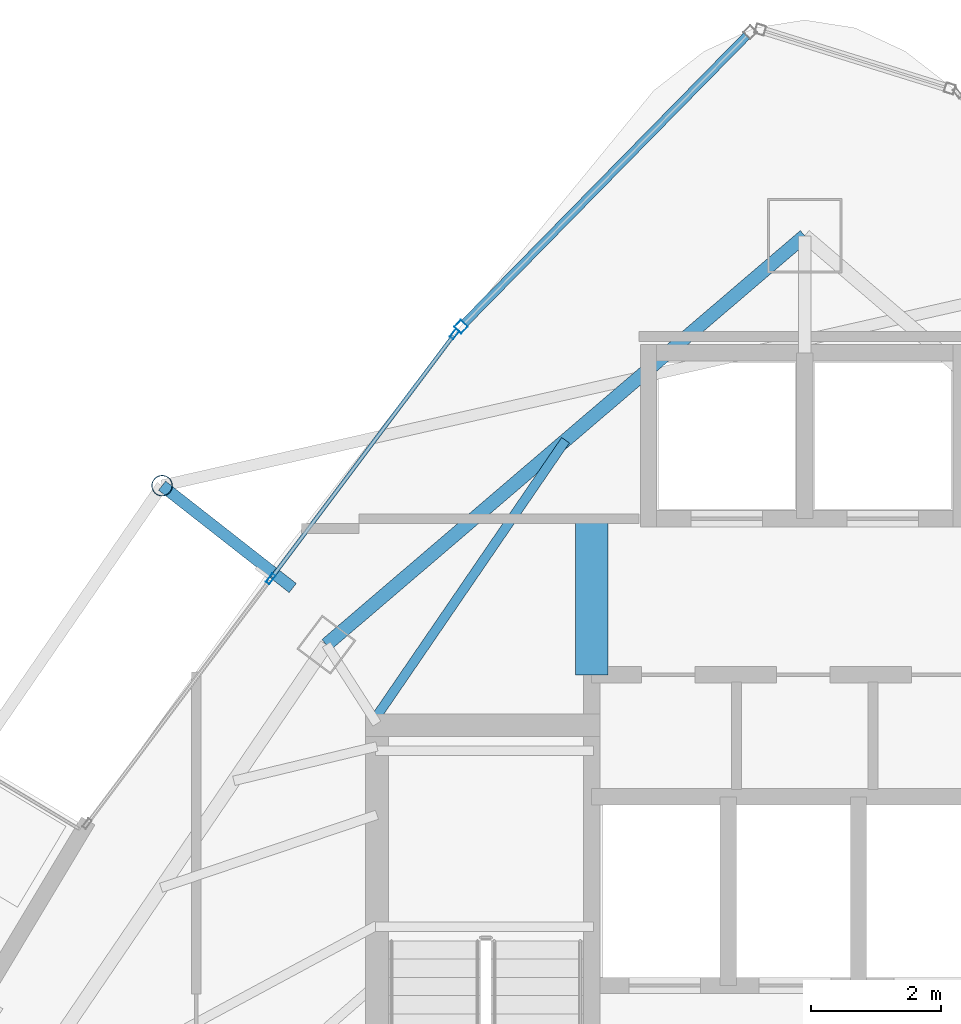
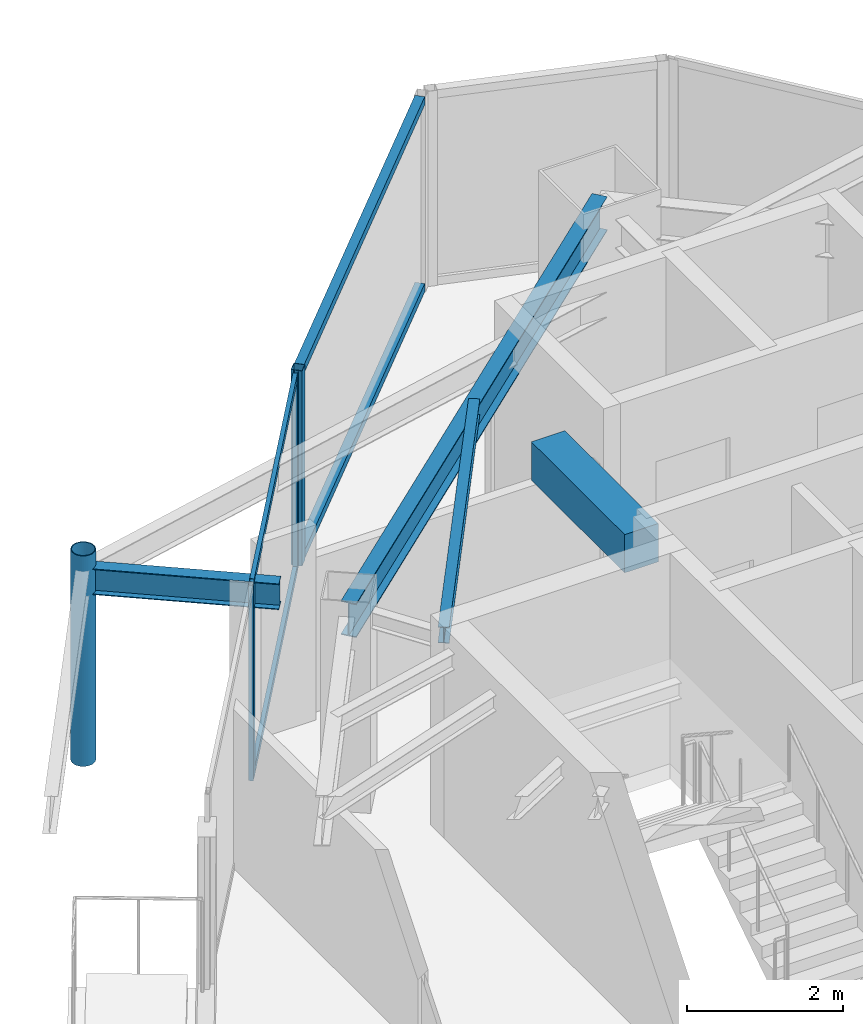
# One storey, part 20 of 28: 8 members, 4 beams, 2 elements without a shape of their own.
"""IFC4 building model written with IfcOpenShell, lengths in metres."""

from ifc_helpers import new_model, si_unit, direction, frame, origin, origin_2d, place, context, subcontext, project, spatial, rectangle, hollow_rectangle, hollow_circle, i_section, extrude, material, layer, layer_set, material_profile, profile_set, type_object, element, aggregate, save


model = new_model("IFC4")

# Units and contexts
model_context = context("Model", 3, precision=1e-05, world=origin(), true_north=direction((0.0, 1.0)))
body_context = subcontext(model_context, "Body", "Model", "MODEL_VIEW")
ifc_project = project(units=[si_unit("LENGTHUNIT", "METRE"), si_unit("AREAUNIT", "SQUARE_METRE"), si_unit("VOLUMEUNIT", "CUBIC_METRE"), si_unit("PLANEANGLEUNIT", "RADIAN"), si_unit("MASSUNIT", "GRAM", prefix="KILO")], contexts=[model_context])

# Site, building, storey
site_placement = place(None, origin())
site = spatial("IfcSite", under=ifc_project, at=site_placement, CompositionType="ELEMENT")
building_placement = place(site_placement, origin())
building = spatial("IfcBuilding", under=site, at=building_placement, Name="Orvanel Arch Residences", CompositionType="ELEMENT")
storey_placement = place(building_placement, frame((0.0, 0.0, 263.449951171875)))
storey = spatial("IfcBuildingStorey", under=building, at=storey_placement, Name="L75", CompositionType="ELEMENT", Elevation=263.449951171875)

# Beams
ifc_material_1 = material(Name="Structural steel AS/NZS 3679.1 Grade 300 (300 MPa)", Category="steel")
ifc_material_profile_1 = material_profile(ifc_material_1, i_section(OverallWidth=0.14599609375, OverallDepth=0.251953125, WebThickness=0.006103515625, FlangeThickness=0.008544921875, at=origin_2d()), Name="250UB31.4")
ifc_profile_set_1 = profile_set([ifc_material_profile_1], Name="Structural steel AS/NZS 3679.1 Grade 300 (300 MPa)")
beam_type_1 = type_object("IfcBeamType", Name="BJ-250UB", PredefinedType="JOIST", material=ifc_profile_set_1)
beam_1_placement = place(storey_placement, frame((26.425048828125, 34.02001953125, 2.93408203125), z_axis=(0.564868085352, 0.825181220188, 0.0), x_axis=(-0.825181220188, 0.564868085352, 0.0)))
element("IfcBeam", 1, at=beam_1_placement, inside=storey, type_object=beam_type_1, Name="L75 NNW2 Wing Floor Joist", PredefinedType="JOIST", context=body_context, shape_type="SweptSolid", body=[
    extrude(i_section(OverallWidth=0.14599609375, OverallDepth=0.251953125, WebThickness=0.006103515625, FlangeThickness=0.008544921875, at=origin_2d()), origin(), (0.0, 0.0, 1.0), 5.132080078125),
])
ifc_material_2 = material(Name="Concrete S65 (65 MPa)", Category="concrete")
ifc_material_profile_2 = material_profile(ifc_material_2, rectangle(XDim=0.5, YDim=0.60009765625, at=origin_2d()), Name="RC500x600")
ifc_profile_set_2 = profile_set([ifc_material_profile_2], Name="Concrete S65 (65 MPa)")
beam_type_2 = type_object("IfcBeamType", Name="CB-500x600", PredefinedType="LINTEL", material=ifc_profile_set_2)
beam_2_placement = place(storey_placement, frame((29.72509765625, 34.64990234375, 2.760009765625), z_axis=(0.0, 1.0, 0.0), x_axis=(-1.0, 0.0, 0.0)))
element("IfcBeam", 2, at=beam_2_placement, inside=storey, type_object=beam_type_2, Name="L75 West Core Lobby Coupling Lintel Beam", PredefinedType="LINTEL", context=body_context, shape_type="SweptSolid", body=[
    extrude(rectangle(XDim=0.5, YDim=0.60009765625, at=origin_2d()), origin(), (0.0, 0.0, 1.0), 2.400146484375),
])

# Curtain wall, member
ifc_material_3 = material(Name="Bronze-anodised aluminium AA6063-T6", Category="aluminium")
ifc_layer_1 = layer(ifc_material_3, 0.18994140625)
ifc_layer_set_1 = layer_set([ifc_layer_1], Name="Bronze-anodised aluminium AA6063-T6")
curtain_wall_type_1 = type_object("IfcCurtainWallType", Name="CW5-CRN-SYS", PredefinedType="NOTDEFINED", material=ifc_layer_set_1)
curtain_wall_1_placement = place(storey_placement, origin())
curtain_wall_1 = element("IfcCurtainWall", 3, at=curtain_wall_1_placement, inside=storey, type_object=curtain_wall_type_1, Name="L75 CW5-CRN-SYS Unitised Curtain Wall", PredefinedType="NOTDEFINED")
ifc_material_profile_3 = material_profile(ifc_material_3, hollow_rectangle(XDim=0.14990234375, YDim=0.14990234375, WallThickness=0.0048828125, at=origin_2d()), Name="ALU150x150x5")
ifc_profile_set_3 = profile_set([ifc_material_profile_3], Name="Bronze-anodised aluminium AA6063-T6")
member_type_1 = type_object("IfcMemberType", Name="MUL-150x150", PredefinedType="MULLION", material=ifc_profile_set_3)
member_1_placement = place(storey_placement, frame((27.716552734375, 39.99853515625, 0.0), z_axis=(0.0, 0.0, 1.0), x_axis=(0.713621357138, -0.700531625722, 0.0)))
member_1 = element("IfcMember", 4, at=member_1_placement, type_object=member_type_1, Name="CW-S5 mullion 2", PredefinedType="MULLION", context=body_context, shape_type="SweptSolid", body=[
    extrude(hollow_rectangle(XDim=0.14990234375, YDim=0.14990234375, WallThickness=0.0048828125, at=origin_2d()), origin(), (0.0, 0.0, 1.0), 3.06005859375),
])

# Curtain wall, members
ifc_layer_2 = layer(ifc_material_3, 0.175048828125)
ifc_layer_set_2 = layer_set([ifc_layer_2], Name="Bronze-anodised aluminium AA6063-T6")
curtain_wall_type_2 = type_object("IfcCurtainWallType", Name="CW4-HI-SYS", PredefinedType="NOTDEFINED", material=ifc_layer_set_2)
curtain_wall_2_placement = place(storey_placement, origin())
curtain_wall_2 = element("IfcCurtainWall", 5, at=curtain_wall_2_placement, inside=storey, type_object=curtain_wall_type_2, Name="L75 CW4-HI-SYS Unitised Curtain Wall", PredefinedType="NOTDEFINED")
ifc_material_profile_4 = material_profile(ifc_material_3, hollow_rectangle(XDim=0.06494140625, YDim=0.159912109375, WallThickness=0.00390625, at=origin_2d()), Name="ALU160x65x4")
ifc_profile_set_4 = profile_set([ifc_material_profile_4], Name="Bronze-anodised aluminium AA6063-T6")
member_type_2 = type_object("IfcMemberType", Name="MUL-160x65", PredefinedType="MULLION", material=ifc_profile_set_4)
member_2_placement = place(storey_placement, frame((27.618408203125, 39.888916015625, 0.0), z_axis=(0.0, 0.0, 1.0), x_axis=(0.799771978749, -0.60030390804, 0.0)))
member_2 = element("IfcMember", 6, at=member_2_placement, type_object=member_type_2, Name="CW-S4 mullion 1", PredefinedType="MULLION", context=body_context, shape_type="SweptSolid", body=[
    extrude(hollow_rectangle(XDim=0.06494140625, YDim=0.159912109375, WallThickness=0.00390625, at=origin_2d()), origin(), (0.0, 0.0, 1.0), 3.06005859375),
])
member_3_placement = place(storey_placement, frame((24.7939453125, 36.1259765625, 0.0), z_axis=(0.0, 0.0, 1.0), x_axis=(0.799771978749, -0.60030390804, 0.0)))
member_3 = element("IfcMember", 7, at=member_3_placement, type_object=member_type_2, Name="CW-S4 mullion 2", PredefinedType="MULLION", context=body_context, shape_type="SweptSolid", body=[
    extrude(hollow_rectangle(XDim=0.06494140625, YDim=0.159912109375, WallThickness=0.00390625, at=origin_2d()), origin(), (0.0, 0.0, 1.0), 3.06005859375),
])

# Beams
ifc_material_profile_5 = material_profile(ifc_material_1, i_section(OverallWidth=0.177978515625, OverallDepth=0.406005859375, WebThickness=0.0078125, FlangeThickness=0.0126953125, at=origin_2d()), Name="410UB59.7")
ifc_profile_set_5 = profile_set([ifc_material_profile_5], Name="Structural steel AS/NZS 3679.1 Grade 300 (300 MPa)")
beam_type_3 = type_object("IfcBeamType", Name="OB-410UB-EXT", PredefinedType="SPANDREL", material=ifc_profile_set_5)
beam_3_placement = place(storey_placement, frame((25.131103515625, 35.98388671875, 2.85693359375), z_axis=(-0.78722418157, 0.616666918159, 0.0), x_axis=(-0.616666918159, -0.78722418157, 0.0)))
element("IfcBeam", 8, at=beam_3_placement, inside=storey, type_object=beam_type_3, Name="L75 Outer Frame Radial Tie Beam 01", PredefinedType="SPANDREL", context=body_context, shape_type="SweptSolid", body=[
    extrude(i_section(OverallWidth=0.177978515625, OverallDepth=0.406005859375, WebThickness=0.0078125, FlangeThickness=0.0126953125, at=origin_2d()), origin(), (0.0, 0.0, 1.0), 2.55078125),
])
ifc_material_profile_6 = material_profile(ifc_material_1, i_section(OverallWidth=0.208984375, OverallDepth=0.532958984375, WebThickness=0.01025390625, FlangeThickness=0.015625, at=origin_2d()), Name="530UB92.4")
ifc_profile_set_6 = profile_set([ifc_material_profile_6], Name="Structural steel AS/NZS 3679.1 Grade 300 (300 MPa)")
beam_type_4 = type_object("IfcBeamType", Name="SP-530UB", PredefinedType="SPANDREL", material=ifc_profile_set_6)
beam_4_placement = place(storey_placement, frame((33.0, 41.39794921875, 2.79296875), z_axis=(-0.760116518398, -0.649786794617, 0.0), x_axis=(0.649786794617, -0.760116518398, 0.0)))
element("IfcBeam", 9, at=beam_4_placement, inside=storey, type_object=beam_type_4, Name="L75 Perimeter Spandrel Beam 10", PredefinedType="SPANDREL", context=body_context, shape_type="SweptSolid", body=[
    extrude(i_section(OverallWidth=0.208984375, OverallDepth=0.532958984375, WebThickness=0.01025390625, FlangeThickness=0.015625, at=origin_2d()), origin(), (0.0, 0.0, 1.0), 9.67236328125),
])

# Member
ifc_material_4 = material(Name="Structural steel AS/NZS 1163 C350L0 (Grade 350)", Category="steel")
ifc_material_profile_7 = material_profile(ifc_material_4, hollow_circle(Radius=0.162109375, WallThickness=0.0126953125, at=origin_2d()), Name="CHS324x12.7")
ifc_profile_set_7 = profile_set([ifc_material_profile_7], Name="Structural steel AS/NZS 1163 C350L0 (Grade 350)")
member_type_3 = type_object("IfcMemberType", Name="ST-324CHS-EXT", PredefinedType="STRUT", material=ifc_profile_set_7)
member_4_placement = place(storey_placement, frame((23.123046875, 37.556884765625, 0.0), z_axis=(0.0, 0.0, 1.0), x_axis=(1.0, 0.0, 0.0)))
element("IfcMember", 10, at=member_4_placement, inside=storey, type_object=member_type_3, Name="L75 Outer Perimeter Frame Post 01", PredefinedType="STRUT", context=body_context, shape_type="SweptSolid", body=[
    extrude(hollow_circle(Radius=0.162109375, WallThickness=0.0126953125, at=origin_2d()), origin(), (0.0, 0.0, 1.0), 3.300048828125),
])

ifc_material_profile_8 = material_profile(ifc_material_3, hollow_rectangle(XDim=0.06005859375, YDim=0.1201171875, WallThickness=0.00341796875, at=origin_2d()), Name="ALU120x60x3.5")
ifc_profile_set_8 = profile_set([ifc_material_profile_8], Name="Bronze-anodised aluminium AA6063-T6")
member_type_4 = type_object("IfcMemberType", Name="TRN-120x60", PredefinedType="USERDEFINED", material=ifc_profile_set_8)
member_5_placement = place(storey_placement, frame((27.598876953125, 39.863037109375, 0.030029296875), z_axis=(-0.600303028681, -0.79977263879, 0.0), x_axis=(0.79977263879, -0.600303028681, 0.0)))
member_5 = element("IfcMember", 11, at=member_5_placement, type_object=member_type_4, Name="CW-S4 transom 1.1", ObjectType="TRANSOM", PredefinedType="USERDEFINED", context=body_context, shape_type="SweptSolid", body=[
    extrude(hollow_rectangle(XDim=0.06005859375, YDim=0.1201171875, WallThickness=0.00341796875, at=origin_2d()), origin(), (0.0, 0.0, 1.0), 4.639892578125),
])

member_6_placement = place(storey_placement, frame((27.598876953125, 39.863037109375, 3.030029296875), z_axis=(-0.600303028681, -0.79977263879, 0.0), x_axis=(0.79977263879, -0.600303028681, 0.0)))
member_6 = element("IfcMember", 12, at=member_6_placement, type_object=member_type_4, Name="CW-S4 transom 1.2", ObjectType="TRANSOM", PredefinedType="USERDEFINED", context=body_context, shape_type="SweptSolid", body=[
    extrude(hollow_rectangle(XDim=0.06005859375, YDim=0.1201171875, WallThickness=0.00341796875, at=origin_2d()), origin(), (0.0, 0.0, 1.0), 4.639892578125),
])

aggregate(curtain_wall_2, [member_2, member_3, member_5, member_6])

ifc_material_profile_9 = material_profile(ifc_material_3, hollow_rectangle(XDim=0.1298828125, YDim=0.1298828125, WallThickness=0.00439453125, at=origin_2d()), Name="ALU130x130x4.5")
ifc_profile_set_9 = profile_set([ifc_material_profile_9], Name="Bronze-anodised aluminium AA6063-T6")
member_type_5 = type_object("IfcMemberType", Name="TRN-130x130", PredefinedType="USERDEFINED", material=ifc_profile_set_9)
member_7_placement = place(storey_placement, frame((32.10791015625, 44.471923828125, 0.06494140625), z_axis=(-0.700533150529, -0.713619860296, 0.0), x_axis=(0.713619860296, -0.700533150529, 0.0)))
member_7 = element("IfcMember", 13, at=member_7_placement, type_object=member_type_5, Name="CW-S5 transom 1.1", ObjectType="TRANSOM", PredefinedType="USERDEFINED", context=body_context, shape_type="SweptSolid", body=[
    extrude(hollow_rectangle(XDim=0.1298828125, YDim=0.1298828125, WallThickness=0.00439453125, at=origin_2d()), origin(), (0.0, 0.0, 1.0), 6.193603515625),
])

member_8_placement = place(storey_placement, frame((32.10791015625, 44.471923828125, 2.9951171875), z_axis=(-0.700533150529, -0.713619860296, 0.0), x_axis=(0.713619860296, -0.700533150529, 0.0)))
member_8 = element("IfcMember", 14, at=member_8_placement, type_object=member_type_5, Name="CW-S5 transom 1.2", ObjectType="TRANSOM", PredefinedType="USERDEFINED", context=body_context, shape_type="SweptSolid", body=[
    extrude(hollow_rectangle(XDim=0.1298828125, YDim=0.1298828125, WallThickness=0.00439453125, at=origin_2d()), origin(), (0.0, 0.0, 1.0), 6.193603515625),
])

aggregate(curtain_wall_1, [member_1, member_7, member_8])

save(model, "model.ifc")
